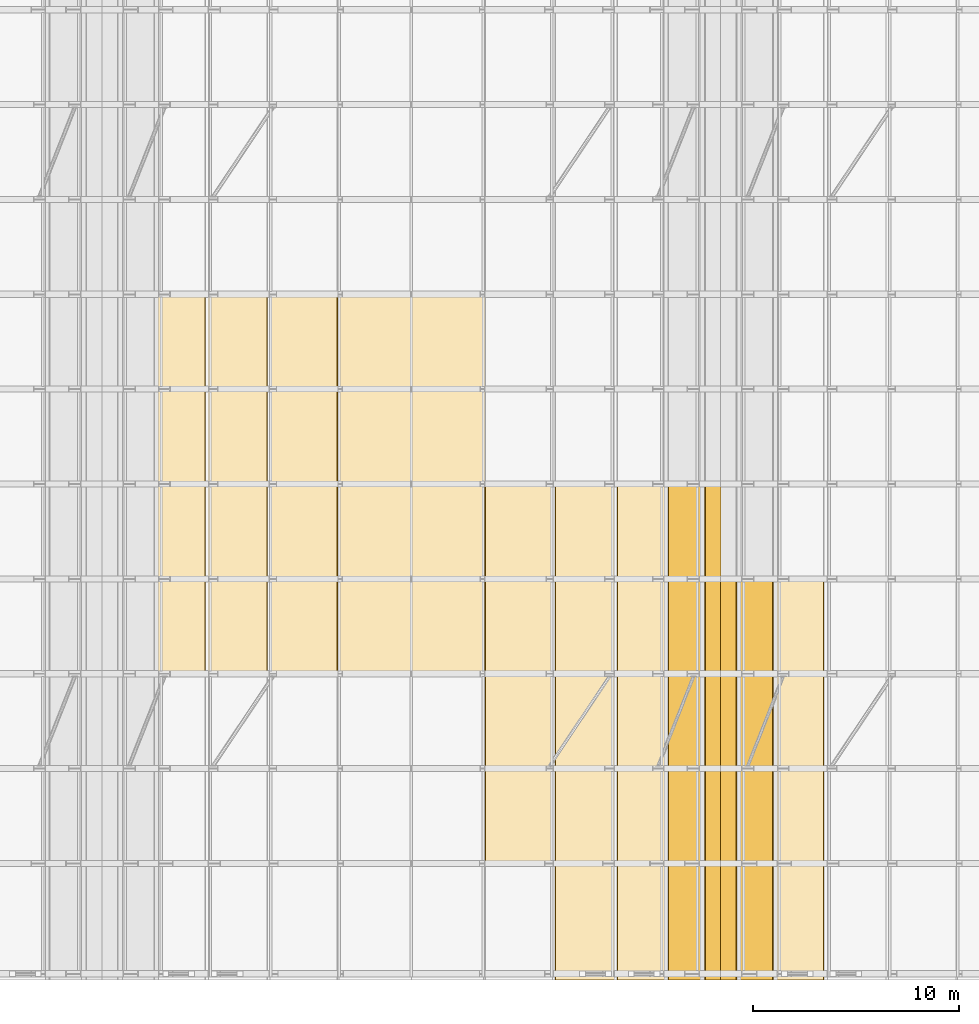
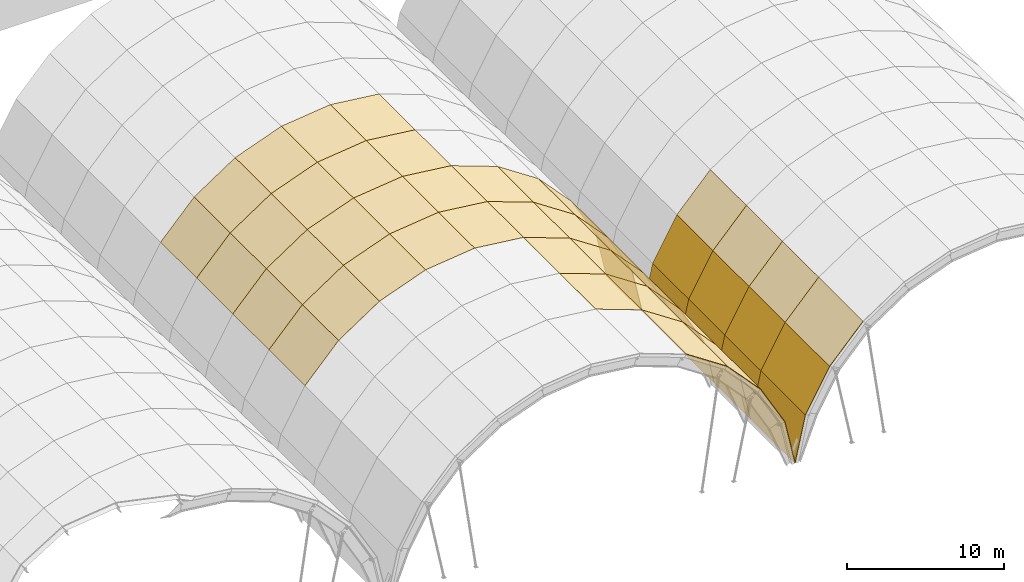
# One storey, part 42 of 47: 56 coverings.
"""IFC4 building model written with IfcOpenShell, lengths in metres."""

from ifc_helpers import new_model, si_unit, direction, frame, origin, place, context, subcontext, project, spatial, polyline, outline, extrude, material, layer, layer_set, type_object, element, save


model = new_model("IFC4")

# Units and contexts
model_context = context("Model", 3, precision=1e-05, world=origin(), true_north=direction((0.0, 1.0)))
body_context = subcontext(model_context, "Body", "Model", "MODEL_VIEW")
ifc_project = project(units=[si_unit("LENGTHUNIT", "METRE"), si_unit("AREAUNIT", "SQUARE_METRE"), si_unit("VOLUMEUNIT", "CUBIC_METRE"), si_unit("PLANEANGLEUNIT", "RADIAN"), si_unit("MASSUNIT", "GRAM", prefix="KILO")], contexts=[model_context])

# Site, building, storey
site_placement = place(None, origin())
site = spatial("IfcSite", under=ifc_project, at=site_placement, CompositionType="ELEMENT")
building_placement = place(site_placement, origin())
building = spatial("IfcBuilding", under=site, at=building_placement, Name="Muzn Square Opera House", CompositionType="ELEMENT")
storey_placement = place(building_placement, frame((0.0, 0.0, 31.0)))
storey = spatial("IfcBuildingStorey", under=building, at=storey_placement, Name="RF-1", CompositionType="ELEMENT", Elevation=31.0)

# Coverings
ifc_material = material(Name="Patina green copper-zinc standing seam", Category="metal")
ifc_layer = layer(ifc_material, 0.0400390625, Name="Patina green copper-zinc standing seam", Category="metal")
ifc_layer_set = layer_set([ifc_layer], Name="Patina green copper-zinc standing seam")
covering_type = type_object("IfcCoveringType", Name="Standing Seam Green Vault Roofing", PredefinedType="ROOFING", material=ifc_layer_set)
covering_1_placement = place(storey_placement, frame((94.994140625, 20.949951171875, -1.212158203125), z_axis=(0.553703965812, 0.0, 0.832713587162), x_axis=(0.832713587162, 0.0, -0.553703965812)))
element("IfcCovering", 1, at=covering_1_placement, inside=storey, type_object=covering_type, Name="Patina Green Standing Seam Vault Roofing V2-00-F08", PredefinedType="ROOFING", context=body_context, shape_type="SweptSolid", body=[
    extrude(outline(polyline([(0.0, 0.0), (3.620856877123484, 0.0), (3.620856877123484, 5.650146484375), (0.0, 5.650146484375), (0.0, 0.0)])), origin(), (0.0, 0.0, -1.0), 0.0400390625),
])
covering_2_placement = place(storey_placement, frame((98.00927734375, 20.949951171875, -3.217041015625), z_axis=(0.732233658575, 0.0, 0.68105349955), x_axis=(0.68105349955, 0.0, -0.732233658575)))
element("IfcCovering", 2, at=covering_2_placement, inside=storey, type_object=covering_type, Name="Patina Green Standing Seam Vault Roofing V2-00-F09", PredefinedType="ROOFING", context=body_context, shape_type="SweptSolid", body=[
    extrude(outline(polyline([(0.0, 0.0), (3.6205970810364114, 0.0), (3.6205970810364114, 5.650146484374999), (0.0, 5.650146484374999), (0.0, 0.0)])), origin(), (0.0, 0.0, -1.0), 0.0400390625),
])
covering_3_placement = place(storey_placement, frame((100.47509765625, 20.949951171875, -5.8681640625), z_axis=(0.870532696062, 0.0, 0.492110582174), x_axis=(0.492110582174, 0.0, -0.870532696062)))
element("IfcCovering", 3, at=covering_3_placement, inside=storey, type_object=covering_type, Name="Patina Green Standing Seam Vault Roofing V2-00-F10", PredefinedType="ROOFING", context=body_context, shape_type="SweptSolid", body=[
    extrude(outline(polyline([(0.0, 0.0), (3.6206055016752363, 0.0), (3.6206055016752363, 5.650146484375), (0.0, 5.650146484375), (0.0, 0.0)])), origin(), (0.0, 0.0, -1.0), 0.0400390625),
])
covering_4_placement = place(storey_placement, frame((102.2568359375, 20.949951171875, -9.02001953125), z_axis=(0.976986683404, 0.0, 0.213300305792), x_axis=(0.213300305792, 0.0, -0.976986683404)))
element("IfcCovering", 4, at=covering_4_placement, inside=storey, type_object=covering_type, Name="Patina Green Standing Seam Vault Roofing V2-00-F11", PredefinedType="ROOFING", context=body_context, shape_type="SweptSolid", body=[
    extrude(outline(polyline([(0.0, 0.0), (3.5619528166180294, 0.0), (3.5619528166180294, 5.650146484375), (0.0, 5.650146484375), (0.0, 0.0)])), origin(), (0.0, 0.0, -1.0), 0.0400390625),
])
covering_5_placement = place(storey_placement, frame((91.595703125, 26.60009765625, 0.036376953125), z_axis=(0.344848988651, 0.0, 0.938658177947), x_axis=(0.938658177947, 0.0, -0.344848988651)))
element("IfcCovering", 5, at=covering_5_placement, inside=storey, type_object=covering_type, Name="Patina Green Standing Seam Vault Roofing V2-01-F07", PredefinedType="ROOFING", context=body_context, shape_type="SweptSolid", body=[
    extrude(outline(polyline([(0.0, 0.0), (3.620527237544066, 0.0), (3.620527237544066, 4.599853515625001), (0.0, 4.599853515625001), (0.0, 0.0)])), origin(), (0.0, 0.0, -1.0), 0.0400390625),
])
covering_6_placement = place(storey_placement, frame((94.994140625, 26.60009765625, -1.212158203125), z_axis=(0.553703965812, 0.0, 0.832713587162), x_axis=(0.832713587162, 0.0, -0.553703965812)))
element("IfcCovering", 6, at=covering_6_placement, inside=storey, type_object=covering_type, Name="Patina Green Standing Seam Vault Roofing V2-01-F08", PredefinedType="ROOFING", context=body_context, shape_type="SweptSolid", body=[
    extrude(outline(polyline([(0.0, 0.0), (3.620856877123484, 0.0), (3.620856877123484, 4.599853515625), (0.0, 4.599853515625), (0.0, 0.0)])), origin(), (0.0, 0.0, -1.0), 0.0400390625),
])
covering_7_placement = place(storey_placement, frame((98.00927734375, 26.60009765625, -3.217041015625), z_axis=(0.732233658575, 0.0, 0.68105349955), x_axis=(0.68105349955, 0.0, -0.732233658575)))
element("IfcCovering", 7, at=covering_7_placement, inside=storey, type_object=covering_type, Name="Patina Green Standing Seam Vault Roofing V2-01-F09", PredefinedType="ROOFING", context=body_context, shape_type="SweptSolid", body=[
    extrude(outline(polyline([(0.0, 0.0), (3.6205970810364114, 0.0), (3.6205970810364114, 4.599853515625), (0.0, 4.599853515625), (0.0, 0.0)])), origin(), (0.0, 0.0, -1.0), 0.0400390625),
])
covering_8_placement = place(storey_placement, frame((100.47509765625, 26.60009765625, -5.8681640625), z_axis=(0.870532696062, 0.0, 0.492110582174), x_axis=(0.492110582174, 0.0, -0.870532696062)))
element("IfcCovering", 8, at=covering_8_placement, inside=storey, type_object=covering_type, Name="Patina Green Standing Seam Vault Roofing V2-01-F10", PredefinedType="ROOFING", context=body_context, shape_type="SweptSolid", body=[
    extrude(outline(polyline([(0.0, 0.0), (3.620605501675236, 0.0), (3.620605501675236, 4.599853515625001), (0.0, 4.599853515625001), (0.0, 0.0)])), origin(), (0.0, 0.0, -1.0), 0.0400390625),
])
covering_9_placement = place(storey_placement, frame((102.2568359375, 26.60009765625, -9.02001953125), z_axis=(0.976986683404, 0.0, 0.213300305792), x_axis=(0.213300305792, 0.0, -0.976986683404)))
element("IfcCovering", 9, at=covering_9_placement, inside=storey, type_object=covering_type, Name="Patina Green Standing Seam Vault Roofing V2-01-F11", PredefinedType="ROOFING", context=body_context, shape_type="SweptSolid", body=[
    extrude(outline(polyline([(0.0, 0.0), (3.5619528166180294, 0.0), (3.5619528166180294, 4.599853515625001), (0.0, 4.599853515625001), (0.0, 0.0)])), origin(), (0.0, 0.0, -1.0), 0.0400390625),
])
covering_10_placement = place(storey_placement, frame((91.595703125, 31.199951171875, 0.036376953125), z_axis=(0.344848988651, 0.0, 0.938658177947), x_axis=(0.938658177947, 0.0, -0.344848988651)))
element("IfcCovering", 10, at=covering_10_placement, inside=storey, type_object=covering_type, Name="Patina Green Standing Seam Vault Roofing V2-02-F07", PredefinedType="ROOFING", context=body_context, shape_type="SweptSolid", body=[
    extrude(outline(polyline([(0.0, 0.0), (3.6205272375440654, 0.0), (3.6205272375440654, 4.60009765625), (0.0, 4.60009765625), (0.0, 0.0)])), origin(), (0.0, 0.0, -1.0), 0.0400390625),
])
covering_11_placement = place(storey_placement, frame((94.994140625, 31.199951171875, -1.212158203125), z_axis=(0.553703965812, 0.0, 0.832713587162), x_axis=(0.832713587162, 0.0, -0.553703965812)))
element("IfcCovering", 11, at=covering_11_placement, inside=storey, type_object=covering_type, Name="Patina Green Standing Seam Vault Roofing V2-02-F08", PredefinedType="ROOFING", context=body_context, shape_type="SweptSolid", body=[
    extrude(outline(polyline([(0.0, 0.0), (3.620856877123484, 0.0), (3.620856877123484, 4.60009765625), (0.0, 4.60009765625), (0.0, 0.0)])), origin(), (0.0, 0.0, -1.0), 0.0400390625),
])
covering_12_placement = place(storey_placement, frame((98.00927734375, 31.199951171875, -3.217041015625), z_axis=(0.732233658575, 0.0, 0.68105349955), x_axis=(0.68105349955, 0.0, -0.732233658575)))
element("IfcCovering", 12, at=covering_12_placement, inside=storey, type_object=covering_type, Name="Patina Green Standing Seam Vault Roofing V2-02-F09", PredefinedType="ROOFING", context=body_context, shape_type="SweptSolid", body=[
    extrude(outline(polyline([(0.0, 0.0), (3.6205970810364114, 0.0), (3.6205970810364114, 4.60009765625), (0.0, 4.60009765625), (0.0, 0.0)])), origin(), (0.0, 0.0, -1.0), 0.0400390625),
])
covering_13_placement = place(storey_placement, frame((100.47509765625, 31.199951171875, -5.8681640625), z_axis=(0.870532696062, 0.0, 0.492110582174), x_axis=(0.492110582174, 0.0, -0.870532696062)))
element("IfcCovering", 13, at=covering_13_placement, inside=storey, type_object=covering_type, Name="Patina Green Standing Seam Vault Roofing V2-02-F10", PredefinedType="ROOFING", context=body_context, shape_type="SweptSolid", body=[
    extrude(outline(polyline([(0.0, 0.0), (3.6206055016752363, 0.0), (3.6206055016752363, 4.60009765625), (0.0, 4.60009765625), (0.0, 0.0)])), origin(), (0.0, 0.0, -1.0), 0.0400390625),
])
covering_14_placement = place(storey_placement, frame((102.2568359375, 31.199951171875, -9.02001953125), z_axis=(0.976986683404, 0.0, 0.213300305792), x_axis=(0.213300305792, 0.0, -0.976986683404)))
element("IfcCovering", 14, at=covering_14_placement, inside=storey, type_object=covering_type, Name="Patina Green Standing Seam Vault Roofing V2-02-F11", PredefinedType="ROOFING", context=body_context, shape_type="SweptSolid", body=[
    extrude(outline(polyline([(0.0, 0.0), (3.5619528166180294, 0.0), (3.5619528166180294, 4.600097656249999), (0.0, 4.600097656249999), (0.0, 0.0)])), origin(), (0.0, 0.0, -1.0), 0.0400390625),
])
covering_15_placement = place(storey_placement, frame((77.99072265625, 35.800048828125, -3.217041015625), z_axis=(-0.732233658575, 0.0, 0.68105349955), x_axis=(0.0, 1.0, 0.0)))
element("IfcCovering", 15, at=covering_15_placement, inside=storey, type_object=covering_type, Name="Patina Green Standing Seam Vault Roofing V2-03-F02", PredefinedType="ROOFING", context=body_context, shape_type="SweptSolid", body=[
    extrude(outline(polyline([(0.0, 3.6205970810364114), (0.0, 0.0), (4.599853515625, 0.0), (4.599853515625, 3.6205970810364114), (0.0, 3.6205970810364114)])), origin(), (0.0, 0.0, -1.0), 0.0400390625),
])
covering_16_placement = place(storey_placement, frame((81.005859375, 35.800048828125, -1.212158203125), z_axis=(-0.553703965812, 0.0, 0.832713587162), x_axis=(0.0, 1.0, 0.0)))
element("IfcCovering", 16, at=covering_16_placement, inside=storey, type_object=covering_type, Name="Patina Green Standing Seam Vault Roofing V2-03-F03", PredefinedType="ROOFING", context=body_context, shape_type="SweptSolid", body=[
    extrude(outline(polyline([(0.0, 3.620856877123484), (0.0, 0.0), (4.599853515625, 0.0), (4.599853515625, 3.620856877123484), (0.0, 3.620856877123484)])), origin(), (0.0, 0.0, -1.0), 0.0400390625),
])
covering_17_placement = place(storey_placement, frame((84.404296875, 35.800048828125, 0.036376953125), z_axis=(-0.344848988651, 0.0, 0.938658177947), x_axis=(0.0, 1.0, 0.0)))
element("IfcCovering", 17, at=covering_17_placement, inside=storey, type_object=covering_type, Name="Patina Green Standing Seam Vault Roofing V2-03-F04", PredefinedType="ROOFING", context=body_context, shape_type="SweptSolid", body=[
    extrude(outline(polyline([(0.0, 3.6205272375440662), (0.0, 0.0), (4.599853515625, 0.0), (4.599853515625, 3.6205272375440662), (0.0, 3.6205272375440662)])), origin(), (0.0, 0.0, -1.0), 0.0400390625),
])
covering_18_placement = place(storey_placement, frame((88.0, 35.800048828125, 0.4599609375), z_axis=(-0.116993830326, 0.0, 0.993132641527), x_axis=(0.0, 1.0, 0.0)))
element("IfcCovering", 18, at=covering_18_placement, inside=storey, type_object=covering_type, Name="Patina Green Standing Seam Vault Roofing V2-03-F05", PredefinedType="ROOFING", context=body_context, shape_type="SweptSolid", body=[
    extrude(outline(polyline([(0.0, 3.620566855473569), (0.0, 0.0), (4.599853515625, 0.0), (4.599853515625, 3.620566855473569), (0.0, 3.620566855473569)])), origin(), (0.0, 0.0, -1.0), 0.0400390625),
])
covering_19_placement = place(storey_placement, frame((88.0, 35.800048828125, 0.4599609375), z_axis=(0.116993830326, 0.0, 0.993132641527), x_axis=(0.993132641527, 0.0, -0.116993830326)))
element("IfcCovering", 19, at=covering_19_placement, inside=storey, type_object=covering_type, Name="Patina Green Standing Seam Vault Roofing V2-03-F06", PredefinedType="ROOFING", context=body_context, shape_type="SweptSolid", body=[
    extrude(outline(polyline([(0.0, 0.0), (3.620566855473569, 0.0), (3.620566855473569, 4.599853515625), (0.0, 4.599853515625), (0.0, 0.0)])), origin(), (0.0, 0.0, -1.0), 0.0400390625),
])
covering_20_placement = place(storey_placement, frame((91.595703125, 35.800048828125, 0.036376953125), z_axis=(0.344848988651, 0.0, 0.938658177947), x_axis=(0.938658177947, 0.0, -0.344848988651)))
element("IfcCovering", 20, at=covering_20_placement, inside=storey, type_object=covering_type, Name="Patina Green Standing Seam Vault Roofing V2-03-F07", PredefinedType="ROOFING", context=body_context, shape_type="SweptSolid", body=[
    extrude(outline(polyline([(0.0, 0.0), (3.620527237544066, 0.0), (3.620527237544066, 4.599853515625001), (0.0, 4.599853515625001), (0.0, 0.0)])), origin(), (0.0, 0.0, -1.0), 0.0400390625),
])
covering_21_placement = place(storey_placement, frame((94.994140625, 35.800048828125, -1.212158203125), z_axis=(0.553703965812, 0.0, 0.832713587162), x_axis=(0.832713587162, 0.0, -0.553703965812)))
element("IfcCovering", 21, at=covering_21_placement, inside=storey, type_object=covering_type, Name="Patina Green Standing Seam Vault Roofing V2-03-F08", PredefinedType="ROOFING", context=body_context, shape_type="SweptSolid", body=[
    extrude(outline(polyline([(0.0, 0.0), (3.620856877123484, 0.0), (3.620856877123484, 4.599853515625), (0.0, 4.599853515625), (0.0, 0.0)])), origin(), (0.0, 0.0, -1.0), 0.0400390625),
])
covering_22_placement = place(storey_placement, frame((98.00927734375, 35.800048828125, -3.217041015625), z_axis=(0.732233658575, 0.0, 0.68105349955), x_axis=(0.68105349955, 0.0, -0.732233658575)))
element("IfcCovering", 22, at=covering_22_placement, inside=storey, type_object=covering_type, Name="Patina Green Standing Seam Vault Roofing V2-03-F09", PredefinedType="ROOFING", context=body_context, shape_type="SweptSolid", body=[
    extrude(outline(polyline([(0.0, 0.0), (3.6205970810364114, 0.0), (3.6205970810364114, 4.599853515625), (0.0, 4.599853515625), (0.0, 0.0)])), origin(), (0.0, 0.0, -1.0), 0.0400390625),
])
covering_23_placement = place(storey_placement, frame((100.47509765625, 35.800048828125, -5.8681640625), z_axis=(0.870532696062, 0.0, 0.492110582174), x_axis=(0.492110582174, 0.0, -0.870532696062)))
element("IfcCovering", 23, at=covering_23_placement, inside=storey, type_object=covering_type, Name="Patina Green Standing Seam Vault Roofing V2-03-F10", PredefinedType="ROOFING", context=body_context, shape_type="SweptSolid", body=[
    extrude(outline(polyline([(0.0, 0.0), (3.620605501675236, 0.0), (3.620605501675236, 4.599853515625001), (0.0, 4.599853515625001), (0.0, 0.0)])), origin(), (0.0, 0.0, -1.0), 0.0400390625),
])
covering_24_placement = place(storey_placement, frame((102.2568359375, 35.800048828125, -9.02001953125), z_axis=(0.976986683404, 0.0, 0.213300305792), x_axis=(0.213300305792, 0.0, -0.976986683404)))
element("IfcCovering", 24, at=covering_24_placement, inside=storey, type_object=covering_type, Name="Patina Green Standing Seam Vault Roofing V2-03-F11", PredefinedType="ROOFING", context=body_context, shape_type="SweptSolid", body=[
    extrude(outline(polyline([(0.0, 0.0), (3.5619528166180294, 0.0), (3.5619528166180294, 4.599853515625001), (0.0, 4.599853515625001), (0.0, 0.0)])), origin(), (0.0, 0.0, -1.0), 0.0400390625),
])
covering_25_placement = place(storey_placement, frame((77.99072265625, 40.39990234375, -3.217041015625), z_axis=(-0.732233658575, 0.0, 0.68105349955), x_axis=(0.0, 1.0, 0.0)))
element("IfcCovering", 25, at=covering_25_placement, inside=storey, type_object=covering_type, Name="Patina Green Standing Seam Vault Roofing V2-04-F02", PredefinedType="ROOFING", context=body_context, shape_type="SweptSolid", body=[
    extrude(outline(polyline([(0.0, 3.6205970810364114), (0.0, 0.0), (4.60009765625, 0.0), (4.60009765625, 3.6205970810364114), (0.0, 3.6205970810364114)])), origin(), (0.0, 0.0, -1.0), 0.0400390625),
])
covering_26_placement = place(storey_placement, frame((81.005859375, 40.39990234375, -1.212158203125), z_axis=(-0.553703965812, 0.0, 0.832713587162), x_axis=(0.0, 1.0, 0.0)))
element("IfcCovering", 26, at=covering_26_placement, inside=storey, type_object=covering_type, Name="Patina Green Standing Seam Vault Roofing V2-04-F03", PredefinedType="ROOFING", context=body_context, shape_type="SweptSolid", body=[
    extrude(outline(polyline([(0.0, 3.620856877123484), (0.0, 0.0), (4.60009765625, 0.0), (4.60009765625, 3.620856877123484), (0.0, 3.620856877123484)])), origin(), (0.0, 0.0, -1.0), 0.0400390625),
])
covering_27_placement = place(storey_placement, frame((84.404296875, 40.39990234375, 0.036376953125), z_axis=(-0.344848988651, 0.0, 0.938658177947), x_axis=(0.0, 1.0, 0.0)))
element("IfcCovering", 27, at=covering_27_placement, inside=storey, type_object=covering_type, Name="Patina Green Standing Seam Vault Roofing V2-04-F04", PredefinedType="ROOFING", context=body_context, shape_type="SweptSolid", body=[
    extrude(outline(polyline([(0.0, 3.6205272375440654), (0.0, 0.0), (4.60009765625, 0.0), (4.60009765625, 3.6205272375440654), (0.0, 3.6205272375440654)])), origin(), (0.0, 0.0, -1.0), 0.0400390625),
])
covering_28_placement = place(storey_placement, frame((88.0, 40.39990234375, 0.4599609375), z_axis=(-0.116993830326, 0.0, 0.993132641527), x_axis=(0.0, 1.0, 0.0)))
element("IfcCovering", 28, at=covering_28_placement, inside=storey, type_object=covering_type, Name="Patina Green Standing Seam Vault Roofing V2-04-F05", PredefinedType="ROOFING", context=body_context, shape_type="SweptSolid", body=[
    extrude(outline(polyline([(0.0, 3.620566855473569), (0.0, 0.0), (4.60009765625, 0.0), (4.60009765625, 3.620566855473569), (0.0, 3.620566855473569)])), origin(), (0.0, 0.0, -1.0), 0.0400390625),
])
covering_29_placement = place(storey_placement, frame((88.0, 40.39990234375, 0.4599609375), z_axis=(0.116993830326, 0.0, 0.993132641527), x_axis=(0.993132641527, 0.0, -0.116993830326)))
element("IfcCovering", 29, at=covering_29_placement, inside=storey, type_object=covering_type, Name="Patina Green Standing Seam Vault Roofing V2-04-F06", PredefinedType="ROOFING", context=body_context, shape_type="SweptSolid", body=[
    extrude(outline(polyline([(0.0, 0.0), (3.620566855473569, 0.0), (3.620566855473569, 4.60009765625), (0.0, 4.60009765625), (0.0, 0.0)])), origin(), (0.0, 0.0, -1.0), 0.0400390625),
])
covering_30_placement = place(storey_placement, frame((91.595703125, 40.39990234375, 0.036376953125), z_axis=(0.344848988651, 0.0, 0.938658177947), x_axis=(0.938658177947, 0.0, -0.344848988651)))
element("IfcCovering", 30, at=covering_30_placement, inside=storey, type_object=covering_type, Name="Patina Green Standing Seam Vault Roofing V2-04-F07", PredefinedType="ROOFING", context=body_context, shape_type="SweptSolid", body=[
    extrude(outline(polyline([(0.0, 0.0), (3.6205272375440654, 0.0), (3.6205272375440654, 4.60009765625), (0.0, 4.60009765625), (0.0, 0.0)])), origin(), (0.0, 0.0, -1.0), 0.0400390625),
])
covering_31_placement = place(storey_placement, frame((94.994140625, 40.39990234375, -1.212158203125), z_axis=(0.553703965812, 0.0, 0.832713587162), x_axis=(0.832713587162, 0.0, -0.553703965812)))
element("IfcCovering", 31, at=covering_31_placement, inside=storey, type_object=covering_type, Name="Patina Green Standing Seam Vault Roofing V2-04-F08", PredefinedType="ROOFING", context=body_context, shape_type="SweptSolid", body=[
    extrude(outline(polyline([(0.0, 0.0), (3.620856877123484, 0.0), (3.620856877123484, 4.60009765625), (0.0, 4.60009765625), (0.0, 0.0)])), origin(), (0.0, 0.0, -1.0), 0.0400390625),
])
covering_32_placement = place(storey_placement, frame((98.00927734375, 40.39990234375, -3.217041015625), z_axis=(0.732233658575, 0.0, 0.68105349955), x_axis=(0.68105349955, 0.0, -0.732233658575)))
element("IfcCovering", 32, at=covering_32_placement, inside=storey, type_object=covering_type, Name="Patina Green Standing Seam Vault Roofing V2-04-F09", PredefinedType="ROOFING", context=body_context, shape_type="SweptSolid", body=[
    extrude(outline(polyline([(0.0, 0.0), (3.6205970810364114, 0.0), (3.6205970810364114, 4.60009765625), (0.0, 4.60009765625), (0.0, 0.0)])), origin(), (0.0, 0.0, -1.0), 0.0400390625),
])
covering_33_placement = place(storey_placement, frame((100.47509765625, 40.39990234375, -5.8681640625), z_axis=(0.870532696062, 0.0, 0.492110582174), x_axis=(0.492110582174, 0.0, -0.870532696062)))
element("IfcCovering", 33, at=covering_33_placement, inside=storey, type_object=covering_type, Name="Patina Green Standing Seam Vault Roofing V2-04-F10", PredefinedType="ROOFING", context=body_context, shape_type="SweptSolid", body=[
    extrude(outline(polyline([(0.0, 0.0), (3.6206055016752363, 0.0), (3.6206055016752363, 4.60009765625), (0.0, 4.60009765625), (0.0, 0.0)])), origin(), (0.0, 0.0, -1.0), 0.0400390625),
])
covering_34_placement = place(storey_placement, frame((102.2568359375, 40.39990234375, -9.02001953125), z_axis=(0.976986683404, 0.0, 0.213300305792), x_axis=(0.213300305792, 0.0, -0.976986683404)))
element("IfcCovering", 34, at=covering_34_placement, inside=storey, type_object=covering_type, Name="Patina Green Standing Seam Vault Roofing V2-04-F11", PredefinedType="ROOFING", context=body_context, shape_type="SweptSolid", body=[
    extrude(outline(polyline([(0.0, 0.0), (3.5619528166180294, 0.0), (3.5619528166180294, 4.600097656249999), (0.0, 4.600097656249999), (0.0, 0.0)])), origin(), (0.0, 0.0, -1.0), 0.0400390625),
])
covering_35_placement = place(storey_placement, frame((77.99072265625, 45.0, -3.217041015625), z_axis=(-0.732233658575, 0.0, 0.68105349955), x_axis=(0.0, 1.0, 0.0)))
element("IfcCovering", 35, at=covering_35_placement, inside=storey, type_object=covering_type, Name="Patina Green Standing Seam Vault Roofing V2-05-F02", PredefinedType="ROOFING", context=body_context, shape_type="SweptSolid", body=[
    extrude(outline(polyline([(0.0, 3.6205970810364114), (0.0, 0.0), (4.60009765625, 0.0), (4.60009765625, 3.6205970810364114), (0.0, 3.6205970810364114)])), origin(), (0.0, 0.0, -1.0), 0.0400390625),
])
covering_36_placement = place(storey_placement, frame((81.005859375, 45.0, -1.212158203125), z_axis=(-0.553703965812, 0.0, 0.832713587162), x_axis=(0.0, 1.0, 0.0)))
element("IfcCovering", 36, at=covering_36_placement, inside=storey, type_object=covering_type, Name="Patina Green Standing Seam Vault Roofing V2-05-F03", PredefinedType="ROOFING", context=body_context, shape_type="SweptSolid", body=[
    extrude(outline(polyline([(0.0, 3.620856877123484), (0.0, 0.0), (4.60009765625, 0.0), (4.60009765625, 3.620856877123484), (0.0, 3.620856877123484)])), origin(), (0.0, 0.0, -1.0), 0.0400390625),
])
covering_37_placement = place(storey_placement, frame((84.404296875, 45.0, 0.036376953125), z_axis=(-0.344848988651, 0.0, 0.938658177947), x_axis=(0.0, 1.0, 0.0)))
element("IfcCovering", 37, at=covering_37_placement, inside=storey, type_object=covering_type, Name="Patina Green Standing Seam Vault Roofing V2-05-F04", PredefinedType="ROOFING", context=body_context, shape_type="SweptSolid", body=[
    extrude(outline(polyline([(0.0, 3.6205272375440654), (0.0, 0.0), (4.60009765625, 0.0), (4.60009765625, 3.6205272375440654), (0.0, 3.6205272375440654)])), origin(), (0.0, 0.0, -1.0), 0.0400390625),
])
covering_38_placement = place(storey_placement, frame((88.0, 45.0, 0.4599609375), z_axis=(-0.116993830326, 0.0, 0.993132641527), x_axis=(0.0, 1.0, 0.0)))
element("IfcCovering", 38, at=covering_38_placement, inside=storey, type_object=covering_type, Name="Patina Green Standing Seam Vault Roofing V2-05-F05", PredefinedType="ROOFING", context=body_context, shape_type="SweptSolid", body=[
    extrude(outline(polyline([(0.0, 3.620566855473569), (0.0, 0.0), (4.60009765625, 0.0), (4.60009765625, 3.620566855473569), (0.0, 3.620566855473569)])), origin(), (0.0, 0.0, -1.0), 0.0400390625),
])
covering_39_placement = place(storey_placement, frame((88.0, 45.0, 0.4599609375), z_axis=(0.116993830326, 0.0, 0.993132641527), x_axis=(0.993132641527, 0.0, -0.116993830326)))
element("IfcCovering", 39, at=covering_39_placement, inside=storey, type_object=covering_type, Name="Patina Green Standing Seam Vault Roofing V2-05-F06", PredefinedType="ROOFING", context=body_context, shape_type="SweptSolid", body=[
    extrude(outline(polyline([(0.0, 0.0), (3.620566855473569, 0.0), (3.620566855473569, 4.60009765625), (0.0, 4.60009765625), (0.0, 0.0)])), origin(), (0.0, 0.0, -1.0), 0.0400390625),
])
covering_40_placement = place(storey_placement, frame((77.99072265625, 49.60009765625, -3.217041015625), z_axis=(-0.732233658575, 0.0, 0.68105349955), x_axis=(0.0, 1.0, 0.0)))
element("IfcCovering", 40, at=covering_40_placement, inside=storey, type_object=covering_type, Name="Patina Green Standing Seam Vault Roofing V2-06-F02", PredefinedType="ROOFING", context=body_context, shape_type="SweptSolid", body=[
    extrude(outline(polyline([(0.0, 3.6205970810364114), (0.0, 0.0), (4.599853515625, 0.0), (4.599853515625, 3.6205970810364114), (0.0, 3.6205970810364114)])), origin(), (0.0, 0.0, -1.0), 0.0400390625),
])
covering_41_placement = place(storey_placement, frame((81.005859375, 49.60009765625, -1.212158203125), z_axis=(-0.553703965812, 0.0, 0.832713587162), x_axis=(0.0, 1.0, 0.0)))
element("IfcCovering", 41, at=covering_41_placement, inside=storey, type_object=covering_type, Name="Patina Green Standing Seam Vault Roofing V2-06-F03", PredefinedType="ROOFING", context=body_context, shape_type="SweptSolid", body=[
    extrude(outline(polyline([(0.0, 3.620856877123484), (0.0, 0.0), (4.599853515625, 0.0), (4.599853515625, 3.620856877123484), (0.0, 3.620856877123484)])), origin(), (0.0, 0.0, -1.0), 0.0400390625),
])
covering_42_placement = place(storey_placement, frame((84.404296875, 49.60009765625, 0.036376953125), z_axis=(-0.344848988651, 0.0, 0.938658177947), x_axis=(0.0, 1.0, 0.0)))
element("IfcCovering", 42, at=covering_42_placement, inside=storey, type_object=covering_type, Name="Patina Green Standing Seam Vault Roofing V2-06-F04", PredefinedType="ROOFING", context=body_context, shape_type="SweptSolid", body=[
    extrude(outline(polyline([(0.0, 3.6205272375440662), (0.0, 0.0), (4.599853515625, 0.0), (4.599853515625, 3.6205272375440662), (0.0, 3.6205272375440662)])), origin(), (0.0, 0.0, -1.0), 0.0400390625),
])
covering_43_placement = place(storey_placement, frame((88.0, 49.60009765625, 0.4599609375), z_axis=(-0.116993830326, 0.0, 0.993132641527), x_axis=(0.0, 1.0, 0.0)))
element("IfcCovering", 43, at=covering_43_placement, inside=storey, type_object=covering_type, Name="Patina Green Standing Seam Vault Roofing V2-06-F05", PredefinedType="ROOFING", context=body_context, shape_type="SweptSolid", body=[
    extrude(outline(polyline([(0.0, 3.620566855473569), (0.0, 0.0), (4.599853515625, 0.0), (4.599853515625, 3.620566855473569), (0.0, 3.620566855473569)])), origin(), (0.0, 0.0, -1.0), 0.0400390625),
])
covering_44_placement = place(storey_placement, frame((88.0, 49.60009765625, 0.4599609375), z_axis=(0.116993830326, 0.0, 0.993132641527), x_axis=(0.993132641527, 0.0, -0.116993830326)))
element("IfcCovering", 44, at=covering_44_placement, inside=storey, type_object=covering_type, Name="Patina Green Standing Seam Vault Roofing V2-06-F06", PredefinedType="ROOFING", context=body_context, shape_type="SweptSolid", body=[
    extrude(outline(polyline([(0.0, 0.0), (3.620566855473569, 0.0), (3.620566855473569, 4.599853515625), (0.0, 4.599853515625), (0.0, 0.0)])), origin(), (0.0, 0.0, -1.0), 0.0400390625),
])
covering_45_placement = place(storey_placement, frame((103.7431640625, 20.949951171875, -9.02001953125), z_axis=(-0.976986683404, 0.0, 0.213300305792), x_axis=(0.0, 1.0, 0.0)))
element("IfcCovering", 45, at=covering_45_placement, inside=storey, type_object=covering_type, Name="Patina Green Standing Seam Vault Roofing V3-00-F00", PredefinedType="ROOFING", context=body_context, shape_type="SweptSolid", body=[
    extrude(outline(polyline([(0.0, 3.5619528166180294), (0.0, 0.0), (5.650146484375, 0.0), (5.650146484375, 3.5619528166180294), (0.0, 3.5619528166180294)])), origin(), (0.0, 0.0, -1.0), 0.0400390625),
])
covering_46_placement = place(storey_placement, frame((105.52490234375, 20.949951171875, -5.8681640625), z_axis=(-0.870532696062, 0.0, 0.492110582174), x_axis=(0.0, 1.0, 0.0)))
element("IfcCovering", 46, at=covering_46_placement, inside=storey, type_object=covering_type, Name="Patina Green Standing Seam Vault Roofing V3-00-F01", PredefinedType="ROOFING", context=body_context, shape_type="SweptSolid", body=[
    extrude(outline(polyline([(0.0, 3.620605501675236), (0.0, 0.0), (5.650146484375, 0.0), (5.650146484375, 3.620605501675236), (0.0, 3.620605501675236)])), origin(), (0.0, 0.0, -1.0), 0.0400390625),
])
covering_47_placement = place(storey_placement, frame((107.99072265625, 20.949951171875, -3.217041015625), z_axis=(-0.732233658575, 0.0, 0.68105349955), x_axis=(0.0, 1.0, 0.0)))
element("IfcCovering", 47, at=covering_47_placement, inside=storey, type_object=covering_type, Name="Patina Green Standing Seam Vault Roofing V3-00-F02", PredefinedType="ROOFING", context=body_context, shape_type="SweptSolid", body=[
    extrude(outline(polyline([(0.0, 3.6205970810364105), (0.0, 0.0), (5.650146484375, 0.0), (5.650146484375, 3.6205970810364105), (0.0, 3.6205970810364105)])), origin(), (0.0, 0.0, -1.0), 0.0400390625),
])
covering_48_placement = place(storey_placement, frame((103.7431640625, 26.60009765625, -9.02001953125), z_axis=(-0.976986683404, 0.0, 0.213300305792), x_axis=(0.0, 1.0, 0.0)))
element("IfcCovering", 48, at=covering_48_placement, inside=storey, type_object=covering_type, Name="Patina Green Standing Seam Vault Roofing V3-01-F00", PredefinedType="ROOFING", context=body_context, shape_type="SweptSolid", body=[
    extrude(outline(polyline([(0.0, 3.56195281661803), (0.0, 0.0), (4.599853515625, 0.0), (4.599853515625, 3.56195281661803), (0.0, 3.56195281661803)])), origin(), (0.0, 0.0, -1.0), 0.0400390625),
])
covering_49_placement = place(storey_placement, frame((105.52490234375, 26.60009765625, -5.8681640625), z_axis=(-0.870532696062, 0.0, 0.492110582174), x_axis=(0.0, 1.0, 0.0)))
element("IfcCovering", 49, at=covering_49_placement, inside=storey, type_object=covering_type, Name="Patina Green Standing Seam Vault Roofing V3-01-F01", PredefinedType="ROOFING", context=body_context, shape_type="SweptSolid", body=[
    extrude(outline(polyline([(0.0, 3.6206055016752363), (0.0, 0.0), (4.599853515625, 0.0), (4.599853515625, 3.6206055016752363), (0.0, 3.6206055016752363)])), origin(), (0.0, 0.0, -1.0), 0.0400390625),
])
covering_50_placement = place(storey_placement, frame((107.99072265625, 26.60009765625, -3.217041015625), z_axis=(-0.732233658575, 0.0, 0.68105349955), x_axis=(0.0, 1.0, 0.0)))
element("IfcCovering", 50, at=covering_50_placement, inside=storey, type_object=covering_type, Name="Patina Green Standing Seam Vault Roofing V3-01-F02", PredefinedType="ROOFING", context=body_context, shape_type="SweptSolid", body=[
    extrude(outline(polyline([(0.0, 3.6205970810364114), (0.0, 0.0), (4.599853515625, 0.0), (4.599853515625, 3.6205970810364114), (0.0, 3.6205970810364114)])), origin(), (0.0, 0.0, -1.0), 0.0400390625),
])
covering_51_placement = place(storey_placement, frame((103.7431640625, 31.199951171875, -9.02001953125), z_axis=(-0.976986683404, 0.0, 0.213300305792), x_axis=(0.0, 1.0, 0.0)))
element("IfcCovering", 51, at=covering_51_placement, inside=storey, type_object=covering_type, Name="Patina Green Standing Seam Vault Roofing V3-02-F00", PredefinedType="ROOFING", context=body_context, shape_type="SweptSolid", body=[
    extrude(outline(polyline([(0.0, 3.561952816618029), (0.0, 0.0), (4.60009765625, 0.0), (4.60009765625, 3.561952816618029), (0.0, 3.561952816618029)])), origin(), (0.0, 0.0, -1.0), 0.0400390625),
])
covering_52_placement = place(storey_placement, frame((105.52490234375, 31.199951171875, -5.8681640625), z_axis=(-0.870532696062, 0.0, 0.492110582174), x_axis=(0.0, 1.0, 0.0)))
element("IfcCovering", 52, at=covering_52_placement, inside=storey, type_object=covering_type, Name="Patina Green Standing Seam Vault Roofing V3-02-F01", PredefinedType="ROOFING", context=body_context, shape_type="SweptSolid", body=[
    extrude(outline(polyline([(0.0, 3.620605501675236), (0.0, 0.0), (4.60009765625, 0.0), (4.60009765625, 3.620605501675236), (0.0, 3.620605501675236)])), origin(), (0.0, 0.0, -1.0), 0.0400390625),
])
covering_53_placement = place(storey_placement, frame((107.99072265625, 31.199951171875, -3.217041015625), z_axis=(-0.732233658575, 0.0, 0.68105349955), x_axis=(0.0, 1.0, 0.0)))
element("IfcCovering", 53, at=covering_53_placement, inside=storey, type_object=covering_type, Name="Patina Green Standing Seam Vault Roofing V3-02-F02", PredefinedType="ROOFING", context=body_context, shape_type="SweptSolid", body=[
    extrude(outline(polyline([(0.0, 3.6205970810364114), (0.0, 0.0), (4.60009765625, 0.0), (4.60009765625, 3.6205970810364114), (0.0, 3.6205970810364114)])), origin(), (0.0, 0.0, -1.0), 0.0400390625),
])
covering_54_placement = place(storey_placement, frame((103.7431640625, 35.800048828125, -9.02001953125), z_axis=(-0.976986683404, 0.0, 0.213300305792), x_axis=(0.0, 1.0, 0.0)))
element("IfcCovering", 54, at=covering_54_placement, inside=storey, type_object=covering_type, Name="Patina Green Standing Seam Vault Roofing V3-03-F00", PredefinedType="ROOFING", context=body_context, shape_type="SweptSolid", body=[
    extrude(outline(polyline([(0.0, 3.56195281661803), (0.0, 0.0), (4.599853515625, 0.0), (4.599853515625, 3.56195281661803), (0.0, 3.56195281661803)])), origin(), (0.0, 0.0, -1.0), 0.0400390625),
])
covering_55_placement = place(storey_placement, frame((105.52490234375, 35.800048828125, -5.8681640625), z_axis=(-0.870532696062, 0.0, 0.492110582174), x_axis=(0.0, 1.0, 0.0)))
element("IfcCovering", 55, at=covering_55_placement, inside=storey, type_object=covering_type, Name="Patina Green Standing Seam Vault Roofing V3-03-F01", PredefinedType="ROOFING", context=body_context, shape_type="SweptSolid", body=[
    extrude(outline(polyline([(0.0, 3.6206055016752363), (0.0, 0.0), (4.599853515625, 0.0), (4.599853515625, 3.6206055016752363), (0.0, 3.6206055016752363)])), origin(), (0.0, 0.0, -1.0), 0.0400390625),
])
covering_56_placement = place(storey_placement, frame((107.99072265625, 35.800048828125, -3.217041015625), z_axis=(-0.732233658575, 0.0, 0.68105349955), x_axis=(0.0, 1.0, 0.0)))
element("IfcCovering", 56, at=covering_56_placement, inside=storey, type_object=covering_type, Name="Patina Green Standing Seam Vault Roofing V3-03-F02", PredefinedType="ROOFING", context=body_context, shape_type="SweptSolid", body=[
    extrude(outline(polyline([(0.0, 3.6205970810364114), (0.0, 0.0), (4.599853515625, 0.0), (4.599853515625, 3.6205970810364114), (0.0, 3.6205970810364114)])), origin(), (0.0, 0.0, -1.0), 0.0400390625),
])

save(model, "model.ifc")
